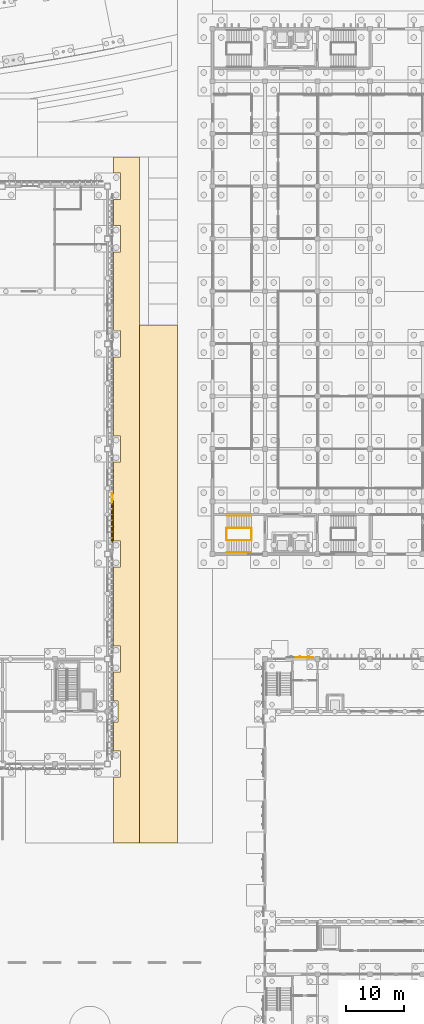
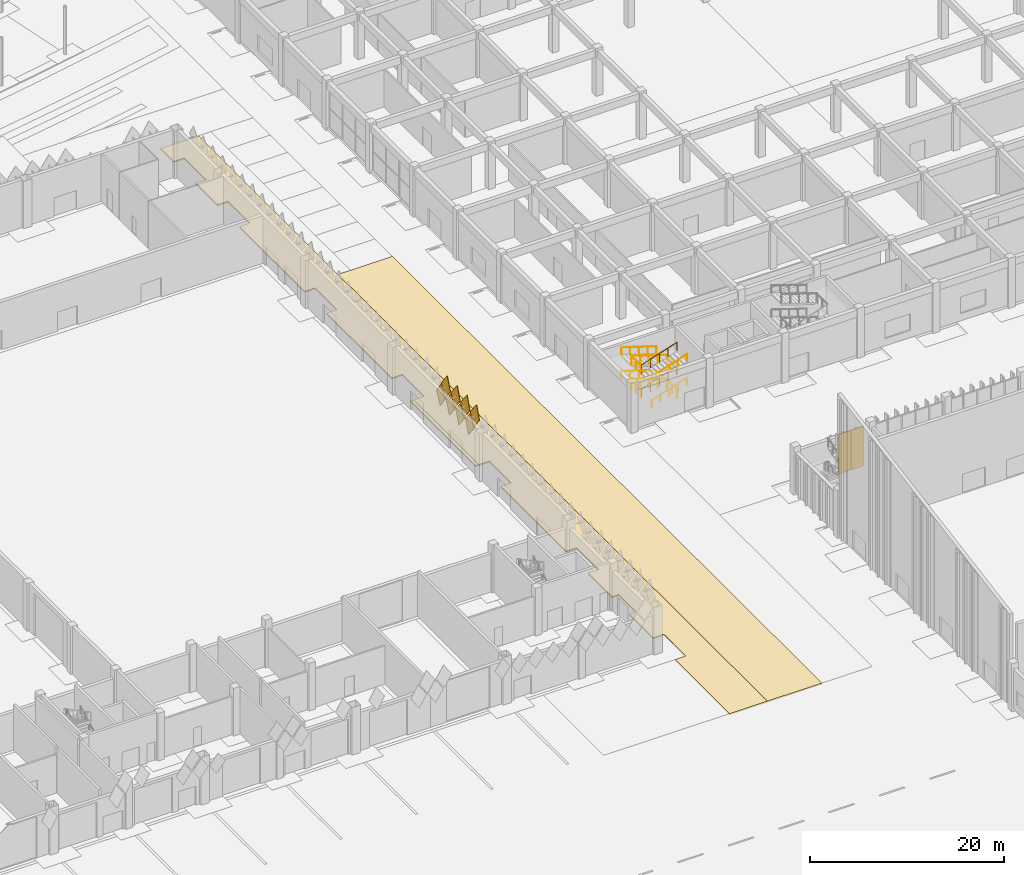
# One storey, part 184 of 198: 13 coverings, 12 railings.
"""IFC4 building model written with IfcOpenShell, lengths in metres."""

from ifc_helpers import new_model, si_unit, direction, frame, origin, origin_2d, place, context, subcontext, project, spatial, polyline, circle, outline, extrude, material, layer, layer_set, constituent, constituent_set, material_profile, profile_set, type_object, element, save


model = new_model("IFC4")

# Units and contexts
model_context = context("Model", 3, precision=1e-05, world=origin(), true_north=direction((0.0, 1.0)))
body_context = subcontext(model_context, "Body", "Model", "MODEL_VIEW")
ifc_project = project(units=[si_unit("LENGTHUNIT", "METRE"), si_unit("AREAUNIT", "SQUARE_METRE"), si_unit("VOLUMEUNIT", "CUBIC_METRE"), si_unit("PLANEANGLEUNIT", "RADIAN"), si_unit("MASSUNIT", "GRAM", prefix="KILO")], contexts=[model_context])

# Site, building, storey
site_placement = place(None, origin())
site = spatial("IfcSite", under=ifc_project, at=site_placement, CompositionType="ELEMENT")
building_placement = place(site_placement, origin())
building = spatial("IfcBuilding", under=site, at=building_placement, Name="Opaline Strait Convention Centre", CompositionType="ELEMENT")
storey_placement = place(building_placement, origin())
storey = spatial("IfcBuildingStorey", under=building, at=storey_placement, Name="L00", CompositionType="ELEMENT", Elevation=0.0)

# Coverings
ifc_material_1 = material(Name="Asphalt road surfacing")
ifc_layer_1 = layer(ifc_material_1, 0.14990234375)
ifc_layer_set_1 = layer_set([ifc_layer_1], Name="Asphalt road surfacing")
covering_type_1 = type_object("IfcCoveringType", Name="Asphalt road surfacing 150", PredefinedType="FLOORING", material=ifc_layer_set_1)
covering_1_placement = place(storey_placement, frame((0.0, 0.0, -0.14990234375)))
element("IfcCovering", 1, at=covering_1_placement, inside=storey, type_object=covering_type_1, Name="External East Court Vehicle Lane surfacing", PredefinedType="FLOORING", context=body_context, shape_type="SweptSolid", body=[
    extrude(outline(polyline([(266.5, 158.0), (262.0, 158.0), (262.0, 155.2548828125), (263.2548828125, 155.2548828125), (263.2548828125, 150.7451171875), (262.0, 150.7451171875), (262.0, 146.2548828125), (263.2548828125, 146.2548828125), (263.2548828125, 141.7451171875), (262.0, 141.7451171875), (262.0, 128.2548828125), (263.2548828125, 128.2548828125), (263.2548828125, 123.7451171875), (262.0, 123.7451171875), (262.0, 110.2548828125), (263.2548828125, 110.2548828125), (263.2548828125, 105.7451171875), (262.0, 105.7451171875), (262.0, 92.2548828125), (263.2548828125, 92.2548828125), (263.2548828125, 87.7451171875), (262.0, 87.7451171875), (262.0, 74.2548828125), (263.2548828125, 74.2548828125), (263.2548828125, 69.7451171875), (262.0, 69.7451171875), (262.0, 64.804931640625), (262.804931640625, 64.804931640625), (262.804931640625, 61.195068359375), (262.0, 61.195068359375), (262.0, 56.2548828125), (263.2548828125, 56.2548828125), (263.2548828125, 51.7451171875), (262.0, 51.7451171875), (262.0, 40.5), (266.5, 40.5), (266.5, 158.0)])), origin(), (0.0, 0.0, 1.0), 0.14990234375),
])
ifc_material_2 = material(Name="White ceramic-faced aluminium tile", Category="aluminium")
ifc_material_profile_1 = material_profile(ifc_material_2, outline(polyline([(0.927978515625, 0.0), (0.0, 1.39208984375), (-0.927978515625, 0.0), (0.0, -1.39208984375), (0.927978515625, 0.0)])), Name="Diamond tile 1856x2784")
ifc_profile_set_1 = profile_set([ifc_material_profile_1], Name="White ceramic-faced aluminium tile")
covering_type_2 = type_object("IfcCoveringType", Name="Diamond wall tile 1856x2784x30 pivot 3.5 deg", PredefinedType="CLADDING", material=ifc_profile_set_1)
covering_2_placement = place(storey_placement, frame((261.800048828125, 99.75, 4.39208984375), z_axis=(0.99785694905, 0.0, -0.065433242561), x_axis=(0.0, 1.0, 0.0)))
element("IfcCovering", 2, at=covering_2_placement, inside=storey, type_object=covering_type_2, Name="Wall tile XT07 E", PredefinedType="CLADDING", context=body_context, shape_type="SweptSolid", body=[
    extrude(outline(polyline([(0.927978515625, 0.0), (0.0, 1.39208984375), (-0.927978515625, 0.0), (0.0, -1.39208984375), (0.927978515625, 0.0)])), origin(), (0.0, 0.0, 1.0), 0.02978515625),
])
ifc_material_profile_2 = material_profile(ifc_material_2, outline(polyline([(0.927978515625, 0.0), (0.0, 1.39208984375), (-0.927978515625, 0.0), (0.0, -1.39208984375), (0.927978515625, 0.0)])), Name="Diamond tile 1856x2784")
ifc_profile_set_2 = profile_set([ifc_material_profile_2], Name="White ceramic-faced aluminium tile")
covering_type_3 = type_object("IfcCoveringType", Name="Diamond wall tile 1856x2784x30 pivot 6 deg", PredefinedType="CLADDING", material=ifc_profile_set_2)
for number, where, z_axis, x_axis, name in (
    (3, (261.800048828125, 97.75, 4.39208984375), (0.994370656274, 0.0, -0.105957528947), (0.0, 1.0, 0.0), "Wall tile XT12 E"),
    (4, (261.800048828125, 98.75, 5.89208984375), (0.994370656274, 0.0, -0.105957528947), (0.0, 1.0, 0.0), "Wall tile XT12 E"),
):
    element("IfcCovering", number, at=place(storey_placement, frame(where, z_axis=z_axis, x_axis=x_axis)), inside=storey, type_object=covering_type_3, Name=name, PredefinedType="CLADDING", context=body_context, shape_type="SweptSolid", body=[
        extrude(outline(polyline([(0.927978515625, 0.0), (0.0, 1.39208984375), (-0.927978515625, 0.0), (0.0, -1.39208984375), (0.927978515625, 0.0)])), origin(), (0.0, 0.0, 1.0), 0.030029296875),
    ])
ifc_material_profile_3 = material_profile(ifc_material_2, outline(polyline([(0.927978515625, 0.0), (0.0, 1.39208984375), (-0.927978515625, 0.0), (0.0, -1.39208984375), (0.927978515625, 0.0)])), Name="Diamond tile 1856x2784")
ifc_profile_set_3 = profile_set([ifc_material_profile_3], Name="White ceramic-faced aluminium tile")
covering_type_4 = type_object("IfcCoveringType", Name="Diamond wall tile 1856x2784x30 pivot 7.5 deg", PredefinedType="CLADDING", material=ifc_profile_set_3)
for number, where, z_axis, x_axis, name in (
    (5, (261.800048828125, 95.75, 4.39208984375), (0.991509530601, 0.0, -0.1300340368), (0.0, 1.0, 0.0), "Wall tile XT15 E"),
    (6, (261.800048828125, 92.75, 5.89208984375), (0.991509530601, 0.0, -0.1300340368), (0.0, 1.0, 0.0), "Wall tile XT15 E"),
):
    element("IfcCovering", number, at=place(storey_placement, frame(where, z_axis=z_axis, x_axis=x_axis)), inside=storey, type_object=covering_type_4, Name=name, PredefinedType="CLADDING", context=body_context, shape_type="SweptSolid", body=[
        extrude(outline(polyline([(0.927978515625, 0.0), (0.0, 1.39208984375), (-0.927978515625, 0.0), (0.0, -1.39208984375), (0.927978515625, 0.0)])), origin(), (0.0, 0.0, 1.0), 0.030029296875),
    ])
ifc_material_profile_4 = material_profile(ifc_material_2, outline(polyline([(0.927978515625, 0.0), (0.0, 1.39208984375), (-0.927978515625, 0.0), (0.0, -1.39208984375), (0.927978515625, 0.0)])), Name="Diamond tile 1856x2784")
ifc_profile_set_4 = profile_set([ifc_material_profile_4], Name="White ceramic-faced aluminium tile")
covering_type_5 = type_object("IfcCoveringType", Name="Diamond wall tile 1856x2784x30 pivot 8 deg", PredefinedType="CLADDING", material=ifc_profile_set_4)
for number, where, z_axis, x_axis, name in (
    (7, (261.800048828125, 93.75, 4.39208984375), (0.990274204789, 0.0, -0.139129433731), (0.0, 1.0, 0.0), "Wall tile XT16 E"),
    (8, (261.800048828125, 96.75, 5.89208984375), (0.990274204789, 0.0, -0.139129433731), (0.0, 1.0, 0.0), "Wall tile XT16 E"),
):
    element("IfcCovering", number, at=place(storey_placement, frame(where, z_axis=z_axis, x_axis=x_axis)), inside=storey, type_object=covering_type_5, Name=name, PredefinedType="CLADDING", context=body_context, shape_type="SweptSolid", body=[
        extrude(outline(polyline([(0.927978515625, 0.0), (0.0, 1.39208984375), (-0.927978515625, 0.0), (0.0, -1.39208984375), (0.927978515625, 0.0)])), origin(), (0.0, 0.0, 1.0), 0.02978515625),
    ])
ifc_material_profile_5 = material_profile(ifc_material_2, outline(polyline([(0.927978515625, 0.0), (0.0, 1.39208984375), (-0.927978515625, 0.0), (0.0, -1.39208984375), (0.927978515625, 0.0)])), Name="Diamond tile 1856x2784")
ifc_profile_set_5 = profile_set([ifc_material_profile_5], Name="White ceramic-faced aluminium tile")
covering_type_6 = type_object("IfcCoveringType", Name="Diamond wall tile 1856x2784x30 pivot 8.5 deg", PredefinedType="CLADDING", material=ifc_profile_set_5)
covering_3_placement = place(storey_placement, frame((261.800048828125, 94.75, 5.89208984375), z_axis=(0.987895005451, 0.0, -0.15512400912), x_axis=(0.0, 1.0, 0.0)))
element("IfcCovering", 9, at=covering_3_placement, inside=storey, type_object=covering_type_6, Name="Wall tile XT17 E", PredefinedType="CLADDING", context=body_context, shape_type="SweptSolid", body=[
    extrude(outline(polyline([(0.927978515625, 0.0), (0.0, 1.39208984375), (-0.927978515625, 0.0), (0.0, -1.39208984375), (0.927978515625, 0.0)])), origin(), (0.0, 0.0, 1.0), 0.02978515625),
])

# Railings
ifc_material_3 = material(Name="Steel Q235B", Category="steel")
ifc_constituent_1 = constituent(ifc_material_3, Name="Frame")
ifc_material_4 = material(Name="Safety glass, bonded interlayer", Category="glass")
ifc_constituent_2 = constituent(ifc_material_4, Name="Infill")
ifc_constituent_set = constituent_set(constituents=[ifc_constituent_1, ifc_constituent_2], Name="Steel Q235B, Safety glass, bonded interlayer")
railing_type_1 = type_object("IfcRailingType", Name="Guard 1100 steel and glass", PredefinedType="GUARDRAIL", material=ifc_constituent_set)
railing_1_placement = place(storey_placement, frame((285.650146484375, 94.4501953125, 0.136474609375)))
element("IfcRailing", 10, at=railing_1_placement, inside=storey, type_object=railing_type_1, Name="L00 S1 stair guard 1", PredefinedType="GUARDRAIL", context=body_context, shape_type="SweptSolid", body=[
    extrude(circle(Radius=0.02392578125, at=origin_2d()), frame((0.0, 0.0, 1.076171875), z_axis=(-0.951131128591, 0.0, 0.308787266941), x_axis=(0.0, -1.0, 0.0)), (0.0, 0.0, 1.0), 4.415771484375),
    extrude(circle(Radius=0.02099609375, at=origin_2d()), origin(), (0.0, 0.0, 1.0), 1.052001953125),
    extrude(circle(Radius=0.02099609375, at=origin_2d()), frame((-1.050048828125, 0.0, 0.3408203125)), (0.0, 0.0, 1.0), 1.052001953125),
    extrude(circle(Radius=0.02099609375, at=origin_2d()), frame((-2.10009765625, 0.0, 0.681640625)), (0.0, 0.0, 1.0), 1.052001953125),
    extrude(circle(Radius=0.02099609375, at=origin_2d()), frame((-3.14990234375, 0.0, 1.022705078125)), (0.0, 0.0, 1.0), 1.052001953125),
    extrude(circle(Radius=0.02099609375, at=origin_2d()), frame((-4.199951171875, 0.0, 1.363525390625)), (0.0, 0.0, 1.0), 1.052001953125),
])
railing_2_placement = place(storey_placement, frame((281.400146484375, 94.400146484375, 1.5)))
element("IfcRailing", 11, at=railing_2_placement, inside=storey, type_object=railing_type_1, Name="L00 S1 stair guard 2", PredefinedType="GUARDRAIL", context=body_context, shape_type="SweptSolid", body=[
    extrude(circle(Radius=0.02392578125, at=origin_2d()), frame((0.0, 0.0, 1.076171875), z_axis=(0.0, -1.0, 0.0), x_axis=(1.0, 0.0, 0.0)), (0.0, 0.0, 1.0), 2.0),
    extrude(circle(Radius=0.02099609375, at=origin_2d()), origin(), (0.0, 0.0, 1.0), 1.052001953125),
    extrude(circle(Radius=0.02099609375, at=origin_2d()), frame((0.0, -1.0, 0.0)), (0.0, 0.0, 1.0), 1.052001953125),
    extrude(circle(Radius=0.02099609375, at=origin_2d()), frame((0.0, -2.0, 0.0)), (0.0, 0.0, 1.0), 1.052001953125),
])
railing_3_placement = place(storey_placement, frame((281.4501953125, 92.35009765625, 1.636474609375)))
element("IfcRailing", 12, at=railing_3_placement, inside=storey, type_object=railing_type_1, Name="L00 S1 stair guard 3", PredefinedType="GUARDRAIL", context=body_context, shape_type="SweptSolid", body=[
    extrude(circle(Radius=0.02392578125, at=origin_2d()), frame((0.0, 0.0, 1.076171875), z_axis=(0.951131128591, 0.0, 0.308787266941), x_axis=(0.0, 1.0, 0.0)), (0.0, 0.0, 1.0), 4.415771484375),
    extrude(circle(Radius=0.02099609375, at=origin_2d()), origin(), (0.0, 0.0, 1.0), 1.052001953125),
    extrude(circle(Radius=0.02099609375, at=origin_2d()), frame((1.050048828125, 0.0, 0.3408203125)), (0.0, 0.0, 1.0), 1.052001953125),
    extrude(circle(Radius=0.02099609375, at=origin_2d()), frame((2.10009765625, 0.0, 0.681640625)), (0.0, 0.0, 1.0), 1.052001953125),
    extrude(circle(Radius=0.02099609375, at=origin_2d()), frame((3.14990234375, 0.0, 1.022705078125)), (0.0, 0.0, 1.0), 1.052001953125),
    extrude(circle(Radius=0.02099609375, at=origin_2d()), frame((4.199951171875, 0.0, 1.363525390625)), (0.0, 0.0, 1.0), 1.052001953125),
])
railing_4_placement = place(storey_placement, frame((285.7001953125, 94.400146484375, 3.0)))
element("IfcRailing", 13, at=railing_4_placement, inside=storey, type_object=railing_type_1, Name="L00 S1 stair guard 4", PredefinedType="GUARDRAIL", context=body_context, shape_type="SweptSolid", body=[
    extrude(circle(Radius=0.02392578125, at=origin_2d()), frame((0.0, 0.0, 1.076171875), z_axis=(0.0, -1.0, 0.0), x_axis=(1.0, 0.0, 0.0)), (0.0, 0.0, 1.0), 2.0),
    extrude(circle(Radius=0.02099609375, at=origin_2d()), origin(), (0.0, 0.0, 1.0), 1.052001953125),
    extrude(circle(Radius=0.02099609375, at=origin_2d()), frame((0.0, -1.0, 0.0)), (0.0, 0.0, 1.0), 1.052001953125),
    extrude(circle(Radius=0.02099609375, at=origin_2d()), frame((0.0, -2.0, 0.0)), (0.0, 0.0, 1.0), 1.052001953125),
])
railing_5_placement = place(storey_placement, frame((285.650146484375, 94.4501953125, 3.136474609375)))
element("IfcRailing", 14, at=railing_5_placement, inside=storey, type_object=railing_type_1, Name="L00 S1 stair guard 5", PredefinedType="GUARDRAIL", context=body_context, shape_type="SweptSolid", body=[
    extrude(circle(Radius=0.02392578125, at=origin_2d()), frame((0.0, 0.0, 1.076171875), z_axis=(-0.951131128591, 0.0, 0.308787266941), x_axis=(0.0, -1.0, 0.0)), (0.0, 0.0, 1.0), 4.415771484375),
    extrude(circle(Radius=0.02099609375, at=origin_2d()), origin(), (0.0, 0.0, 1.0), 1.052001953125),
    extrude(circle(Radius=0.02099609375, at=origin_2d()), frame((-1.050048828125, 0.0, 0.3408203125)), (0.0, 0.0, 1.0), 1.052001953125),
    extrude(circle(Radius=0.02099609375, at=origin_2d()), frame((-2.10009765625, 0.0, 0.681640625)), (0.0, 0.0, 1.0), 1.052001953125),
    extrude(circle(Radius=0.02099609375, at=origin_2d()), frame((-3.14990234375, 0.0, 1.022705078125)), (0.0, 0.0, 1.0), 1.052001953125),
    extrude(circle(Radius=0.02099609375, at=origin_2d()), frame((-4.199951171875, 0.0, 1.363525390625)), (0.0, 0.0, 1.0), 1.052001953125),
])
railing_6_placement = place(storey_placement, frame((281.400146484375, 94.400146484375, 4.5)))
element("IfcRailing", 15, at=railing_6_placement, inside=storey, type_object=railing_type_1, Name="L00 S1 stair guard 6", PredefinedType="GUARDRAIL", context=body_context, shape_type="SweptSolid", body=[
    extrude(circle(Radius=0.02392578125, at=origin_2d()), frame((0.0, 0.0, 1.076171875), z_axis=(0.0, -1.0, 0.0), x_axis=(1.0, 0.0, 0.0)), (0.0, 0.0, 1.0), 2.0),
    extrude(circle(Radius=0.02099609375, at=origin_2d()), origin(), (0.0, 0.0, 1.0), 1.052001953125),
    extrude(circle(Radius=0.02099609375, at=origin_2d()), frame((0.0, -1.0, 0.0)), (0.0, 0.0, 1.0), 1.052001953125),
    extrude(circle(Radius=0.02099609375, at=origin_2d()), frame((0.0, -2.0, 0.0)), (0.0, 0.0, 1.0), 1.052001953125),
])
railing_7_placement = place(storey_placement, frame((281.4501953125, 92.35009765625, 4.636474609375)))
element("IfcRailing", 16, at=railing_7_placement, inside=storey, type_object=railing_type_1, Name="L00 S1 stair guard 7", PredefinedType="GUARDRAIL", context=body_context, shape_type="SweptSolid", body=[
    extrude(circle(Radius=0.02392578125, at=origin_2d()), frame((0.0, 0.0, 1.076171875), z_axis=(0.951131128591, 0.0, 0.308787266941), x_axis=(0.0, 1.0, 0.0)), (0.0, 0.0, 1.0), 4.415771484375),
    extrude(circle(Radius=0.02099609375, at=origin_2d()), origin(), (0.0, 0.0, 1.0), 1.052001953125),
    extrude(circle(Radius=0.02099609375, at=origin_2d()), frame((1.050048828125, 0.0, 0.3408203125)), (0.0, 0.0, 1.0), 1.052001953125),
    extrude(circle(Radius=0.02099609375, at=origin_2d()), frame((2.10009765625, 0.0, 0.681640625)), (0.0, 0.0, 1.0), 1.052001953125),
    extrude(circle(Radius=0.02099609375, at=origin_2d()), frame((3.14990234375, 0.0, 1.022705078125)), (0.0, 0.0, 1.0), 1.052001953125),
    extrude(circle(Radius=0.02099609375, at=origin_2d()), frame((4.199951171875, 0.0, 1.363525390625)), (0.0, 0.0, 1.0), 1.052001953125),
])
railing_8_placement = place(storey_placement, frame((285.7001953125, 94.400146484375, 0.0)))
element("IfcRailing", 17, at=railing_8_placement, inside=storey, type_object=railing_type_1, Name="L00 S1 stair guard 8", PredefinedType="GUARDRAIL", context=body_context, shape_type="SweptSolid", body=[
    extrude(circle(Radius=0.02392578125, at=origin_2d()), frame((0.0, 0.0, 1.076171875), z_axis=(0.0, -1.0, 0.0), x_axis=(1.0, 0.0, 0.0)), (0.0, 0.0, 1.0), 2.0),
    extrude(circle(Radius=0.02099609375, at=origin_2d()), origin(), (0.0, 0.0, 1.0), 1.052001953125),
    extrude(circle(Radius=0.02099609375, at=origin_2d()), frame((0.0, -1.0, 0.0)), (0.0, 0.0, 1.0), 1.052001953125),
    extrude(circle(Radius=0.02099609375, at=origin_2d()), frame((0.0, -2.0, 0.0)), (0.0, 0.0, 1.0), 1.052001953125),
])

# Coverings
ifc_material_5 = material(Name="Limestone paving slabs on mortar bed", Category="masonry")
ifc_layer_2 = layer(ifc_material_5, 0.14990234375)
ifc_layer_set_2 = layer_set([ifc_layer_2], Name="Limestone paving slabs on mortar bed")
covering_type_7 = type_object("IfcCoveringType", Name="Limestone court paving 150", PredefinedType="FLOORING", material=ifc_layer_set_2)
covering_4_placement = place(storey_placement, frame((0.0, 0.0, -0.14990234375)))
element("IfcCovering", 18, at=covering_4_placement, inside=storey, type_object=covering_type_7, Name="East Court surfacing", PredefinedType="FLOORING", context=body_context, shape_type="SweptSolid", body=[
    extrude(outline(polyline([(266.5, 129.199951171875), (266.5, 40.5), (273.0, 40.5), (273.0, 129.199951171875), (266.5, 129.199951171875)])), origin(), (0.0, 0.0, 1.0), 0.14990234375),
])
ifc_material_6 = material(Name="Concrete C40 precast white", Category="concrete")
ifc_layer_3 = layer(ifc_material_6, 0.300048828125)
ifc_layer_set_3 = layer_set([ifc_layer_3], Name="Concrete C40 precast white")
covering_type_8 = type_object("IfcCoveringType", Name="Ribbed precast panel white 1500", PredefinedType="CLADDING", material=ifc_layer_set_3)
covering_5_placement = place(storey_placement, origin())
element("IfcCovering", 19, at=covering_5_placement, inside=storey, type_object=covering_type_8, Name="Ribbed panel L00-N0 4", PredefinedType="CLADDING", context=body_context, shape_type="SweptSolid", body=[
    extrude(outline(polyline([(293.25, 72.199951171875), (294.75, 72.199951171875), (294.75, 72.280029296875), (294.074951171875, 72.280029296875), (294.074951171875, 72.5), (293.925048828125, 72.5), (293.925048828125, 72.280029296875), (293.25, 72.280029296875), (293.25, 72.199951171875)])), origin(), (0.0, 0.0, 1.0), 5.02001953125),
])
covering_6_placement = place(storey_placement, origin())
element("IfcCovering", 20, at=covering_6_placement, inside=storey, type_object=covering_type_8, Name="Ribbed panel L00-N0 5", PredefinedType="CLADDING", context=body_context, shape_type="SweptSolid", body=[
    extrude(outline(polyline([(294.75, 72.199951171875), (296.25, 72.199951171875), (296.25, 72.280029296875), (295.574951171875, 72.280029296875), (295.574951171875, 72.5), (295.425048828125, 72.5), (295.425048828125, 72.280029296875), (294.75, 72.280029296875), (294.75, 72.199951171875)])), origin(), (0.0, 0.0, 1.0), 5.02001953125),
])
ifc_material_7 = material(Name="Concrete C30 exposed aggregate", Category="concrete")
ifc_layer_4 = layer(ifc_material_7, 0.14990234375)
ifc_layer_set_4 = layer_set([ifc_layer_4], Name="Concrete C30 exposed aggregate")
covering_type_9 = type_object("IfcCoveringType", Name="Site paving 150", PredefinedType="FLOORING", material=ifc_layer_set_4)
covering_7_placement = place(storey_placement, frame((0.0, 0.0, -0.14990234375)))
element("IfcCovering", 21, at=covering_7_placement, inside=storey, type_object=covering_type_9, Name="Site paving surfacing", PredefinedType="FLOORING", context=body_context, shape_type="SweptSolid", body=[
    extrude(outline(polyline([(261.60498046875, 92.2548828125), (262.0, 92.2548828125), (262.0, 105.7451171875), (261.60498046875, 105.7451171875), (261.60498046875, 92.2548828125)])), origin(), (0.0, 0.0, 1.0), 0.14990234375),
])

# Railings
ifc_material_8 = material(Name="Stainless steel 304", Category="steel")
railing_type_2 = type_object("IfcRailingType", Name="Stair handrail 900 stainless steel", PredefinedType="HANDRAIL", material=ifc_material_8)
railing_9_placement = place(storey_placement, frame((285.650146484375, 96.550048828125, 0.136474609375)))
element("IfcRailing", 22, at=railing_9_placement, inside=storey, type_object=railing_type_2, Name="L00 S1 stair handrail 1", PredefinedType="HANDRAIL", context=body_context, shape_type="SweptSolid", body=[
    extrude(circle(Radius=0.02392578125, at=origin_2d()), frame((0.0, 0.0, 0.8759765625), z_axis=(-0.951131128591, 0.0, 0.308787266941), x_axis=(0.0, -1.0, 0.0)), (0.0, 0.0, 1.0), 4.415771484375),
    extrude(circle(Radius=0.02099609375, at=origin_2d()), origin(), (0.0, 0.0, 1.0), 0.851806640625),
    extrude(circle(Radius=0.02099609375, at=origin_2d()), frame((-1.050048828125, 0.0, 0.3408203125)), (0.0, 0.0, 1.0), 0.851806640625),
    extrude(circle(Radius=0.02099609375, at=origin_2d()), frame((-2.10009765625, 0.0, 0.681640625)), (0.0, 0.0, 1.0), 0.851806640625),
    extrude(circle(Radius=0.02099609375, at=origin_2d()), frame((-3.14990234375, 0.0, 1.022705078125)), (0.0, 0.0, 1.0), 0.851806640625),
    extrude(circle(Radius=0.02099609375, at=origin_2d()), frame((-4.199951171875, 0.0, 1.363525390625)), (0.0, 0.0, 1.0), 0.851806640625),
])
railing_10_placement = place(storey_placement, frame((281.4501953125, 90.25, 1.636474609375)))
element("IfcRailing", 23, at=railing_10_placement, inside=storey, type_object=railing_type_2, Name="L00 S1 stair handrail 2", PredefinedType="HANDRAIL", context=body_context, shape_type="SweptSolid", body=[
    extrude(circle(Radius=0.02392578125, at=origin_2d()), frame((0.0, 0.0, 0.8759765625), z_axis=(0.951131128591, 0.0, 0.308787266941), x_axis=(0.0, 1.0, 0.0)), (0.0, 0.0, 1.0), 4.415771484375),
    extrude(circle(Radius=0.02099609375, at=origin_2d()), origin(), (0.0, 0.0, 1.0), 0.851806640625),
    extrude(circle(Radius=0.02099609375, at=origin_2d()), frame((1.050048828125, 0.0, 0.3408203125)), (0.0, 0.0, 1.0), 0.851806640625),
    extrude(circle(Radius=0.02099609375, at=origin_2d()), frame((2.10009765625, 0.0, 0.681640625)), (0.0, 0.0, 1.0), 0.851806640625),
    extrude(circle(Radius=0.02099609375, at=origin_2d()), frame((3.14990234375, 0.0, 1.022705078125)), (0.0, 0.0, 1.0), 0.851806640625),
    extrude(circle(Radius=0.02099609375, at=origin_2d()), frame((4.199951171875, 0.0, 1.363525390625)), (0.0, 0.0, 1.0), 0.851806640625),
])
railing_11_placement = place(storey_placement, frame((285.650146484375, 96.550048828125, 3.136474609375)))
element("IfcRailing", 24, at=railing_11_placement, inside=storey, type_object=railing_type_2, Name="L00 S1 stair handrail 3", PredefinedType="HANDRAIL", context=body_context, shape_type="SweptSolid", body=[
    extrude(circle(Radius=0.02392578125, at=origin_2d()), frame((0.0, 0.0, 0.8759765625), z_axis=(-0.951131128591, 0.0, 0.308787266941), x_axis=(0.0, -1.0, 0.0)), (0.0, 0.0, 1.0), 4.415771484375),
    extrude(circle(Radius=0.02099609375, at=origin_2d()), origin(), (0.0, 0.0, 1.0), 0.851806640625),
    extrude(circle(Radius=0.02099609375, at=origin_2d()), frame((-1.050048828125, 0.0, 0.3408203125)), (0.0, 0.0, 1.0), 0.851806640625),
    extrude(circle(Radius=0.02099609375, at=origin_2d()), frame((-2.10009765625, 0.0, 0.681640625)), (0.0, 0.0, 1.0), 0.851806640625),
    extrude(circle(Radius=0.02099609375, at=origin_2d()), frame((-3.14990234375, 0.0, 1.022705078125)), (0.0, 0.0, 1.0), 0.851806640625),
    extrude(circle(Radius=0.02099609375, at=origin_2d()), frame((-4.199951171875, 0.0, 1.363525390625)), (0.0, 0.0, 1.0), 0.851806640625),
])
railing_12_placement = place(storey_placement, frame((281.4501953125, 90.25, 4.636474609375)))
element("IfcRailing", 25, at=railing_12_placement, inside=storey, type_object=railing_type_2, Name="L00 S1 stair handrail 4", PredefinedType="HANDRAIL", context=body_context, shape_type="SweptSolid", body=[
    extrude(circle(Radius=0.02392578125, at=origin_2d()), frame((0.0, 0.0, 0.8759765625), z_axis=(0.951131128591, 0.0, 0.308787266941), x_axis=(0.0, 1.0, 0.0)), (0.0, 0.0, 1.0), 4.415771484375),
    extrude(circle(Radius=0.02099609375, at=origin_2d()), origin(), (0.0, 0.0, 1.0), 0.851806640625),
    extrude(circle(Radius=0.02099609375, at=origin_2d()), frame((1.050048828125, 0.0, 0.3408203125)), (0.0, 0.0, 1.0), 0.851806640625),
    extrude(circle(Radius=0.02099609375, at=origin_2d()), frame((2.10009765625, 0.0, 0.681640625)), (0.0, 0.0, 1.0), 0.851806640625),
    extrude(circle(Radius=0.02099609375, at=origin_2d()), frame((3.14990234375, 0.0, 1.022705078125)), (0.0, 0.0, 1.0), 0.851806640625),
    extrude(circle(Radius=0.02099609375, at=origin_2d()), frame((4.199951171875, 0.0, 1.363525390625)), (0.0, 0.0, 1.0), 0.851806640625),
])

save(model, "model.ifc")
